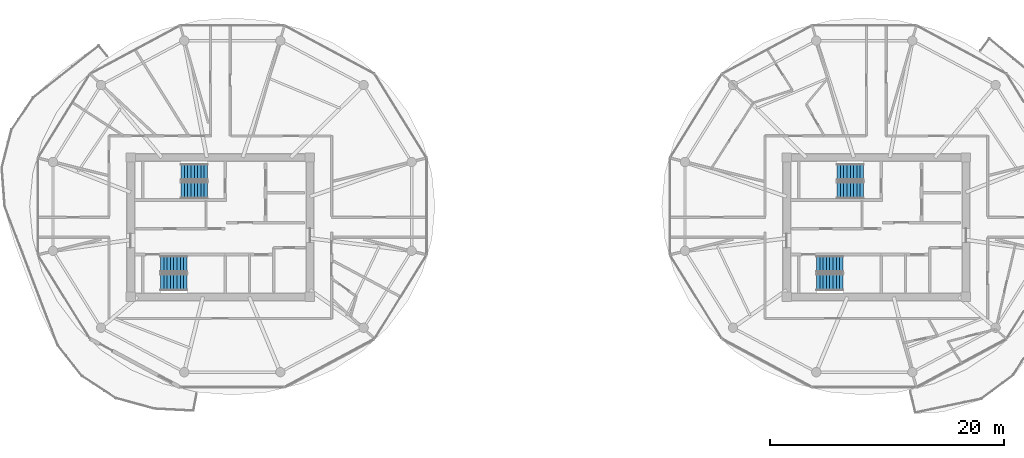
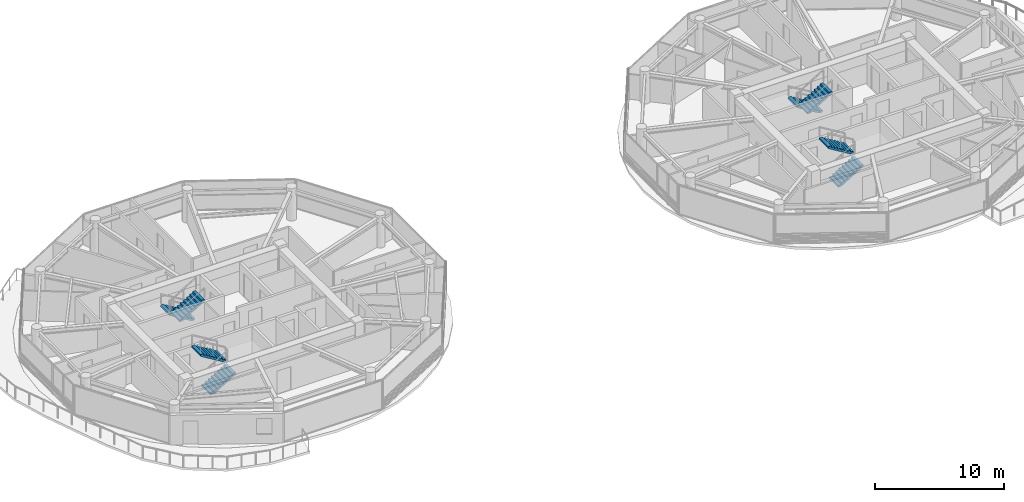
# One storey, part 18 of 23: 8 stair flights, 4 elements without a shape of their own.
"""IFC4 building model written with IfcOpenShell, lengths in metres."""

from ifc_helpers import new_model, si_unit, direction, frame, origin, place, context, subcontext, project, spatial, polyline, outline, extrude, material, type_object, element, aggregate, save


model = new_model("IFC4")

# Units and contexts
model_context = context("Model", 3, precision=1e-05, world=origin(), true_north=direction((0.0, 1.0)))
body_context = subcontext(model_context, "Body", "Model", "MODEL_VIEW")
ifc_project = project(units=[si_unit("LENGTHUNIT", "METRE"), si_unit("AREAUNIT", "SQUARE_METRE"), si_unit("VOLUMEUNIT", "CUBIC_METRE"), si_unit("PLANEANGLEUNIT", "RADIAN"), si_unit("MASSUNIT", "GRAM", prefix="KILO")], contexts=[model_context])

# Site, building, storey
site_placement = place(None, origin())
site = spatial("IfcSite", under=ifc_project, at=site_placement, CompositionType="ELEMENT")
building_placement = place(site_placement, origin())
building = spatial("IfcBuilding", under=site, at=building_placement, Name="Norrkilde Senior Care Towers", CompositionType="ELEMENT")
storey_placement = place(building_placement, frame((0.0, 0.0, 158.699951171875)))
storey = spatial("IfcBuildingStorey", under=building, at=storey_placement, Name="L49", CompositionType="ELEMENT", Elevation=158.699951171875)

# Stair, stair flights
ifc_material = material(Name="Concrete C45/55", Category="concrete")
stair_type = type_object("IfcStairType", Name="Core Protected Dogleg Stair Typical 3050", PredefinedType="HALF_TURN_STAIR", material=ifc_material)
stair_1_placement = place(storey_placement, origin())
stair_1 = element("IfcStair", 1, at=stair_1_placement, inside=storey, type_object=stair_type, Name="L49 Protected Core Stair W1", PredefinedType="HALF_TURN_STAIR")
stair_flight_type = type_object("IfcStairFlightType", Name="Core Protected Dogleg Stair Typical 3050 Flight", PredefinedType="STRAIGHT", material=ifc_material)
stair_flight_1_placement = place(storey_placement, frame((-29.10009765625, 4.699951171875, 0.0), z_axis=(0.0, 0.0, 1.0), x_axis=(-1.0, 0.0, 0.0)))
stair_flight_1 = element("IfcStairFlight", 2, at=stair_flight_1_placement, type_object=stair_flight_type, Name="ST-W1 flight 1", NumberOfRisers=9, NumberOfTreads=8, PredefinedType="STRAIGHT", RiserHeight=0.169444444, TreadLength=0.28, context=body_context, shape_type="SweptSolid", body=[
    extrude(outline(polyline([(0.0, 0.0), (0.0, 0.16943359375), (0.280029296875, 0.16943359375), (0.280029296875, 0.3388671875), (0.56005859375, 0.3388671875), (0.56005859375, 0.50830078125), (0.840087890625, 0.50830078125), (0.840087890625, 0.677734375), (1.1201171875, 0.677734375), (1.1201171875, 0.84716796875), (1.39990234375, 0.84716796875), (1.39990234375, 1.0166015625), (1.679931640625, 1.0166015625), (1.679931640625, 1.18603515625), (1.9599609375, 1.18603515625), (1.9599609375, 1.35546875), (2.239990234375, 1.35546875), (2.239990234375, 1.52490234375), (2.239990234375, 1.180419921875), (0.28955078125, 0.0), (0.0, 0.0)])), frame((0.0, 0.699951171875, 0.0), z_axis=(0.0, -1.0, 0.0), x_axis=(1.0, 0.0, 0.0)), (0.0, 0.0, 1.0), 1.39990234375),
])
stair_flight_2_placement = place(storey_placement, frame((-31.340087890625, 3.14990234375, 1.525146484375), z_axis=(0.0, 0.0, 1.0), x_axis=(1.0, 0.0, 0.0)))
stair_flight_2 = element("IfcStairFlight", 3, at=stair_flight_2_placement, type_object=stair_flight_type, Name="ST-W1 flight 2", NumberOfRisers=9, NumberOfTreads=8, PredefinedType="STRAIGHT", RiserHeight=0.169444444, TreadLength=0.28, context=body_context, shape_type="SweptSolid", body=[
    extrude(outline(polyline([(0.0, 0.0), (0.0, 0.16943359375), (0.280029296875, 0.16943359375), (0.280029296875, 0.3388671875), (0.56005859375, 0.3388671875), (0.56005859375, 0.50830078125), (0.840087890625, 0.50830078125), (0.840087890625, 0.677734375), (1.1201171875, 0.677734375), (1.1201171875, 0.84716796875), (1.39990234375, 0.84716796875), (1.39990234375, 1.0166015625), (1.679931640625, 1.0166015625), (1.679931640625, 1.18603515625), (1.9599609375, 1.18603515625), (1.9599609375, 1.35546875), (2.239990234375, 1.35546875), (2.239990234375, 1.52490234375), (2.239990234375, 1.180419921875), (0.28955078125, 0.0), (0.0, 0.0)])), frame((0.0, 0.699951171875, 0.0), z_axis=(0.0, -1.0, 0.0), x_axis=(1.0, 0.0, 0.0)), (0.0, 0.0, 1.0), 1.39990234375),
])
aggregate(stair_1, [stair_flight_1, stair_flight_2])

stair_2_placement = place(storey_placement, origin())
stair_2 = element("IfcStair", 4, at=stair_2_placement, inside=storey, type_object=stair_type, Name="L49 Protected Core Stair W2", PredefinedType="HALF_TURN_STAIR")
stair_flight_3_placement = place(storey_placement, frame((-33.10009765625, -4.699951171875, 0.0), z_axis=(0.0, 0.0, 1.0), x_axis=(1.0, 0.0, 0.0)))
stair_flight_3 = element("IfcStairFlight", 5, at=stair_flight_3_placement, type_object=stair_flight_type, Name="ST-W2 flight 1", NumberOfRisers=9, NumberOfTreads=8, PredefinedType="STRAIGHT", RiserHeight=0.169444444, TreadLength=0.28, context=body_context, shape_type="SweptSolid", body=[
    extrude(outline(polyline([(0.0, 0.0), (0.0, 0.16943359375), (0.280029296875, 0.16943359375), (0.280029296875, 0.3388671875), (0.56005859375, 0.3388671875), (0.56005859375, 0.50830078125), (0.840087890625, 0.50830078125), (0.840087890625, 0.677734375), (1.1201171875, 0.677734375), (1.1201171875, 0.84716796875), (1.39990234375, 0.84716796875), (1.39990234375, 1.0166015625), (1.679931640625, 1.0166015625), (1.679931640625, 1.18603515625), (1.9599609375, 1.18603515625), (1.9599609375, 1.35546875), (2.239990234375, 1.35546875), (2.239990234375, 1.52490234375), (2.239990234375, 1.180419921875), (0.28955078125, 0.0), (0.0, 0.0)])), frame((0.0, 0.699951171875, 0.0), z_axis=(0.0, -1.0, 0.0), x_axis=(1.0, 0.0, 0.0)), (0.0, 0.0, 1.0), 1.39990234375),
])
stair_flight_4_placement = place(storey_placement, frame((-30.860107421875, -3.14990234375, 1.525146484375), z_axis=(0.0, 0.0, 1.0), x_axis=(-1.0, 0.0, 0.0)))
stair_flight_4 = element("IfcStairFlight", 6, at=stair_flight_4_placement, type_object=stair_flight_type, Name="ST-W2 flight 2", NumberOfRisers=9, NumberOfTreads=8, PredefinedType="STRAIGHT", RiserHeight=0.169444444, TreadLength=0.28, context=body_context, shape_type="SweptSolid", body=[
    extrude(outline(polyline([(0.0, 0.0), (0.0, 0.16943359375), (0.280029296875, 0.16943359375), (0.280029296875, 0.3388671875), (0.56005859375, 0.3388671875), (0.56005859375, 0.50830078125), (0.840087890625, 0.50830078125), (0.840087890625, 0.677734375), (1.1201171875, 0.677734375), (1.1201171875, 0.84716796875), (1.39990234375, 0.84716796875), (1.39990234375, 1.0166015625), (1.679931640625, 1.0166015625), (1.679931640625, 1.18603515625), (1.9599609375, 1.18603515625), (1.9599609375, 1.35546875), (2.239990234375, 1.35546875), (2.239990234375, 1.52490234375), (2.239990234375, 1.180419921875), (0.28955078125, 0.0), (0.0, 0.0)])), frame((0.0, 0.699951171875, 0.0), z_axis=(0.0, -1.0, 0.0), x_axis=(1.0, 0.0, 0.0)), (0.0, 0.0, 1.0), 1.39990234375),
])
aggregate(stair_2, [stair_flight_3, stair_flight_4])

stair_3_placement = place(storey_placement, origin())
stair_3 = element("IfcStair", 7, at=stair_3_placement, inside=storey, type_object=stair_type, Name="L49 Protected Core Stair E1", PredefinedType="HALF_TURN_STAIR")
stair_flight_5_placement = place(storey_placement, frame((26.89990234375, 4.699951171875, 0.0), z_axis=(0.0, 0.0, 1.0), x_axis=(-1.0, 0.0, 0.0)))
stair_flight_5 = element("IfcStairFlight", 8, at=stair_flight_5_placement, type_object=stair_flight_type, Name="ST-E1 flight 1", NumberOfRisers=9, NumberOfTreads=8, PredefinedType="STRAIGHT", RiserHeight=0.169444444, TreadLength=0.28, context=body_context, shape_type="SweptSolid", body=[
    extrude(outline(polyline([(0.0, 0.0), (0.0, 0.16943359375), (0.280029296875, 0.16943359375), (0.280029296875, 0.3388671875), (0.56005859375, 0.3388671875), (0.56005859375, 0.50830078125), (0.840087890625, 0.50830078125), (0.840087890625, 0.677734375), (1.1201171875, 0.677734375), (1.1201171875, 0.84716796875), (1.39990234375, 0.84716796875), (1.39990234375, 1.0166015625), (1.679931640625, 1.0166015625), (1.679931640625, 1.18603515625), (1.9599609375, 1.18603515625), (1.9599609375, 1.35546875), (2.239990234375, 1.35546875), (2.239990234375, 1.52490234375), (2.239990234375, 1.180419921875), (0.28955078125, 0.0), (0.0, 0.0)])), frame((0.0, 0.699951171875, 0.0), z_axis=(0.0, -1.0, 0.0), x_axis=(1.0, 0.0, 0.0)), (0.0, 0.0, 1.0), 1.39990234375),
])
stair_flight_6_placement = place(storey_placement, frame((24.659912109375, 3.14990234375, 1.525146484375), z_axis=(0.0, 0.0, 1.0), x_axis=(1.0, 0.0, 0.0)))
stair_flight_6 = element("IfcStairFlight", 9, at=stair_flight_6_placement, type_object=stair_flight_type, Name="ST-E1 flight 2", NumberOfRisers=9, NumberOfTreads=8, PredefinedType="STRAIGHT", RiserHeight=0.169444444, TreadLength=0.28, context=body_context, shape_type="SweptSolid", body=[
    extrude(outline(polyline([(0.0, 0.0), (0.0, 0.16943359375), (0.280029296875, 0.16943359375), (0.280029296875, 0.3388671875), (0.56005859375, 0.3388671875), (0.56005859375, 0.50830078125), (0.840087890625, 0.50830078125), (0.840087890625, 0.677734375), (1.1201171875, 0.677734375), (1.1201171875, 0.84716796875), (1.39990234375, 0.84716796875), (1.39990234375, 1.0166015625), (1.679931640625, 1.0166015625), (1.679931640625, 1.18603515625), (1.9599609375, 1.18603515625), (1.9599609375, 1.35546875), (2.239990234375, 1.35546875), (2.239990234375, 1.52490234375), (2.239990234375, 1.180419921875), (0.28955078125, 0.0), (0.0, 0.0)])), frame((0.0, 0.699951171875, 0.0), z_axis=(0.0, -1.0, 0.0), x_axis=(1.0, 0.0, 0.0)), (0.0, 0.0, 1.0), 1.39990234375),
])
aggregate(stair_3, [stair_flight_5, stair_flight_6])

stair_4_placement = place(storey_placement, origin())
stair_4 = element("IfcStair", 10, at=stair_4_placement, inside=storey, type_object=stair_type, Name="L49 Protected Core Stair E2", PredefinedType="HALF_TURN_STAIR")
stair_flight_7_placement = place(storey_placement, frame((22.89990234375, -4.699951171875, 0.0), z_axis=(0.0, 0.0, 1.0), x_axis=(1.0, 0.0, 0.0)))
stair_flight_7 = element("IfcStairFlight", 11, at=stair_flight_7_placement, type_object=stair_flight_type, Name="ST-E2 flight 1", NumberOfRisers=9, NumberOfTreads=8, PredefinedType="STRAIGHT", RiserHeight=0.169444444, TreadLength=0.28, context=body_context, shape_type="SweptSolid", body=[
    extrude(outline(polyline([(0.0, 0.0), (0.0, 0.16943359375), (0.280029296875, 0.16943359375), (0.280029296875, 0.3388671875), (0.56005859375, 0.3388671875), (0.56005859375, 0.50830078125), (0.840087890625, 0.50830078125), (0.840087890625, 0.677734375), (1.1201171875, 0.677734375), (1.1201171875, 0.84716796875), (1.39990234375, 0.84716796875), (1.39990234375, 1.0166015625), (1.679931640625, 1.0166015625), (1.679931640625, 1.18603515625), (1.9599609375, 1.18603515625), (1.9599609375, 1.35546875), (2.239990234375, 1.35546875), (2.239990234375, 1.52490234375), (2.239990234375, 1.180419921875), (0.28955078125, 0.0), (0.0, 0.0)])), frame((0.0, 0.699951171875, 0.0), z_axis=(0.0, -1.0, 0.0), x_axis=(1.0, 0.0, 0.0)), (0.0, 0.0, 1.0), 1.39990234375),
])
stair_flight_8_placement = place(storey_placement, frame((25.139892578125, -3.14990234375, 1.525146484375), z_axis=(0.0, 0.0, 1.0), x_axis=(-1.0, 0.0, 0.0)))
stair_flight_8 = element("IfcStairFlight", 12, at=stair_flight_8_placement, type_object=stair_flight_type, Name="ST-E2 flight 2", NumberOfRisers=9, NumberOfTreads=8, PredefinedType="STRAIGHT", RiserHeight=0.169444444, TreadLength=0.28, context=body_context, shape_type="SweptSolid", body=[
    extrude(outline(polyline([(0.0, 0.0), (0.0, 0.16943359375), (0.280029296875, 0.16943359375), (0.280029296875, 0.3388671875), (0.56005859375, 0.3388671875), (0.56005859375, 0.50830078125), (0.840087890625, 0.50830078125), (0.840087890625, 0.677734375), (1.1201171875, 0.677734375), (1.1201171875, 0.84716796875), (1.39990234375, 0.84716796875), (1.39990234375, 1.0166015625), (1.679931640625, 1.0166015625), (1.679931640625, 1.18603515625), (1.9599609375, 1.18603515625), (1.9599609375, 1.35546875), (2.239990234375, 1.35546875), (2.239990234375, 1.52490234375), (2.239990234375, 1.180419921875), (0.28955078125, 0.0), (0.0, 0.0)])), frame((0.0, 0.699951171875, 0.0), z_axis=(0.0, -1.0, 0.0), x_axis=(1.0, 0.0, 0.0)), (0.0, 0.0, 1.0), 1.39990234375),
])
aggregate(stair_4, [stair_flight_7, stair_flight_8])

save(model, "model.ifc")
